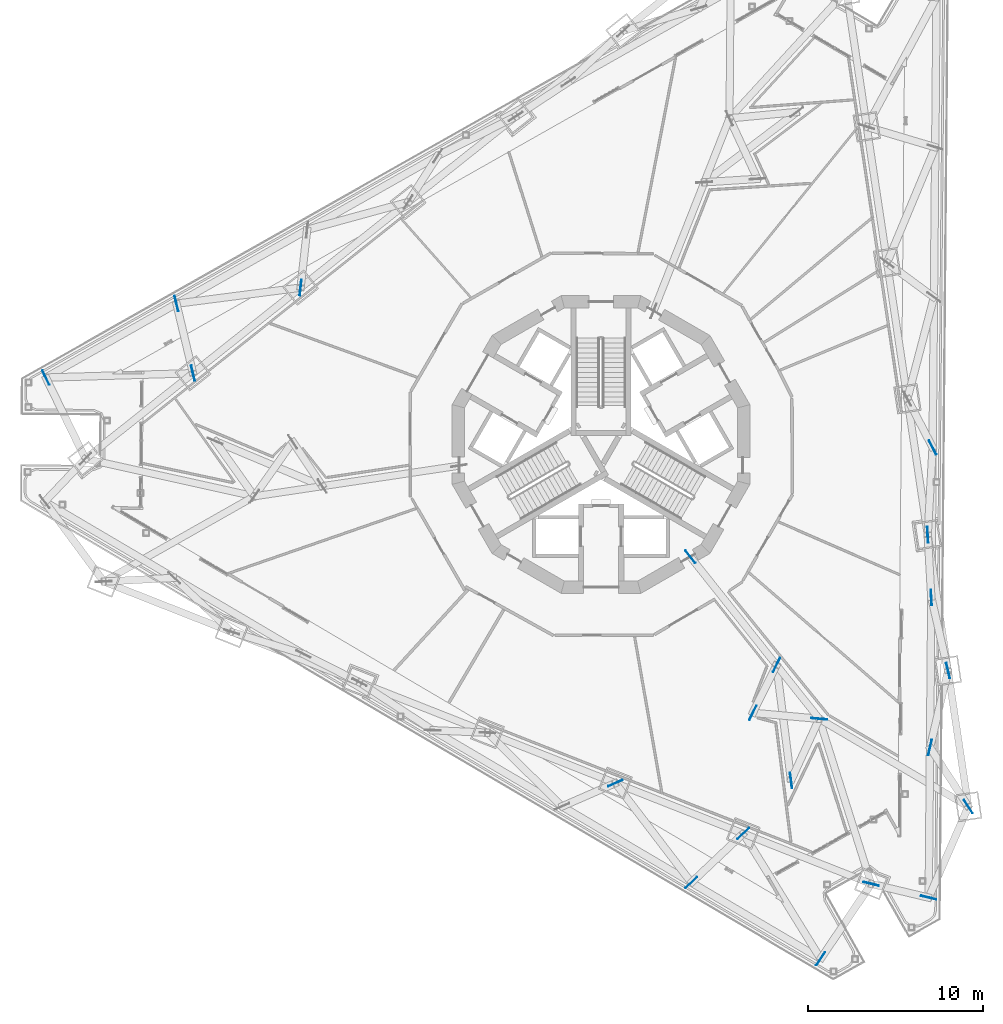
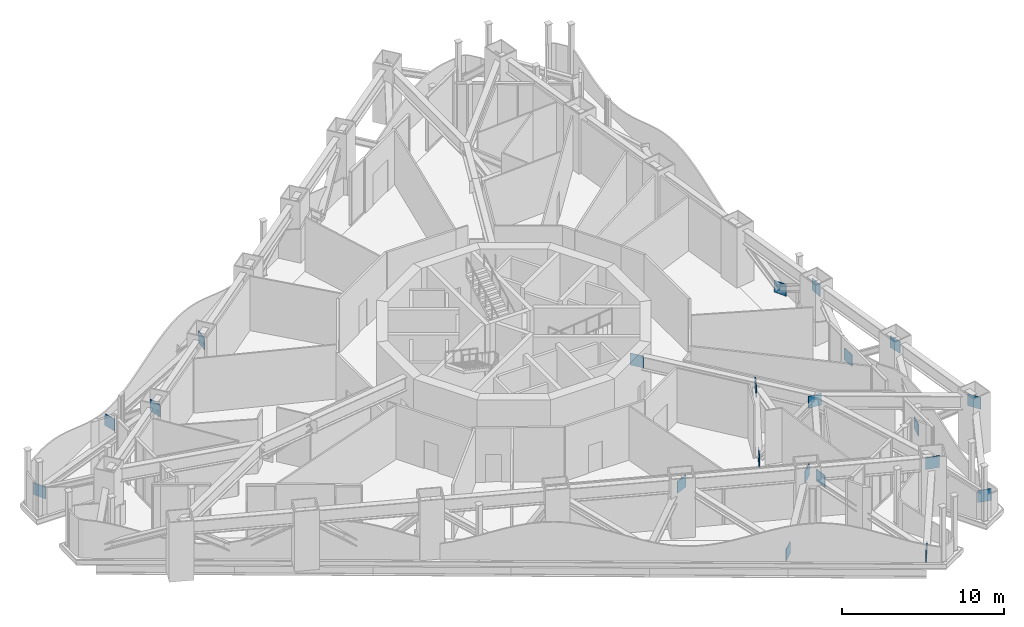
# One storey, part 16 of 27: 21 discrete accessories.
"""IFC4 building model written with IfcOpenShell, lengths in metres."""

from ifc_helpers import new_model, si_unit, direction, frame, origin, origin_2d, place, context, subcontext, project, spatial, rectangle, extrude, material, element, save


model = new_model("IFC4")

# Units and contexts
model_context = context("Model", 3, precision=1e-05, world=origin(), true_north=direction((0.0, 1.0)))
body_context = subcontext(model_context, "Body", "Model", "MODEL_VIEW")
ifc_project = project(units=[si_unit("LENGTHUNIT", "METRE"), si_unit("AREAUNIT", "SQUARE_METRE"), si_unit("VOLUMEUNIT", "CUBIC_METRE"), si_unit("PLANEANGLEUNIT", "RADIAN"), si_unit("MASSUNIT", "GRAM", prefix="KILO")], contexts=[model_context])

# Site, building, storey
site_placement = place(None, origin())
site = spatial("IfcSite", under=ifc_project, at=site_placement, CompositionType="ELEMENT")
building_placement = place(site_placement, origin())
building = spatial("IfcBuilding", under=site, at=building_placement, Name="Trine Commons Tower", CompositionType="ELEMENT")
storey_placement = place(building_placement, frame((0.0, 0.0, 193.5)))
storey = spatial("IfcBuildingStorey", under=building, at=storey_placement, Name="L50", CompositionType="ELEMENT", Elevation=193.5)

# Discrete accessories
ifc_material = material(Name="Structural steel ASTM A572 Gr50", Category="steel")
for number, where, z_axis, x_axis, name in (
    (1, (48.29638671875, 66.3212890625, 0.024658203125), (0.0, 0.0, 1.0), (0.437931860829, -0.899008167522, 0.0), "Gusset plate GP5-02"),
    (2, (55.755859375, 70.541748046875, 0.024658203125), (0.0, 0.0, 1.0), (0.231204566835, -0.972905158931, 0.0), "Gusset plate GP5-04"),
    (3, (85.15771484375, 37.483154296875, 0.024658203125), (0.0, 0.0, 1.0), (0.726958299689, 0.686681607816, 0.0), "Gusset plate GP5-13"),
    (4, (88.66943359375, 47.177001953125, 0.024658203125), (0.0, 0.0, 1.0), (0.443368452615, 0.896339453123, 0.0), "Gusset plate GP5-15"),
    (5, (90.85205078125, 43.319091796875, 0.024658203125), (0.0, 0.0, 1.0), (-0.125541018831, 0.992088429824, 0.0), "Gusset plate GP5-17"),
    (6, (92.54248046875, 33.133056640625, 0.024658203125), (0.0, 0.0, 1.0), (0.55958351612, 0.828773967067, 0.0), "Gusset plate GP5-19"),
    (7, (98.71240234375, 36.623779296875, 0.024658203125), (0.0, 0.0, 1.0), (-0.972597621771, 0.232494873331, 0.0), "Gusset plate GP5-21"),
    (8, (98.787109375, 45.194091796875, 0.024658203125), (0.0, 0.0, 1.0), (0.228265908454, 0.973598826539, 0.0), "Gusset plate GP5-22"),
    (9, (98.862060546875, 53.764404296875, 0.024658203125), (0.0, 0.0, 1.0), (-0.057215536424, 0.998361849427, 0.0), "Gusset plate GP5-23"),
    (10, (98.936767578125, 62.334716796875, 0.024658203125), (0.0, 0.0, 1.0), (-0.460106810451, 0.887863572277, 0.0), "Gusset plate GP5-24"),
    (11, (56.699462890625, 66.570556640625, 3.185546875), (0.0, 0.0, 1.0), (0.231204566835, -0.972905158931, 0.0), "Gusset plate GP5-30"),
    (12, (62.843505859375, 71.45751953125, 3.185546875), (0.0, 0.0, 1.0), (-0.1117811281, -0.993732851123, 0.0), "Gusset plate GP5-33"),
    (13, (80.82080078125, 43.1630859375, 3.185546875), (0.0, 0.0, 1.0), (0.916502421907, 0.400029137237, 0.0), "Gusset plate GP5-40"),
    (14, (85.101318359375, 56.0869140625, 3.185546875), (0.0, 0.0, 1.0), (0.622514636638, -0.782608156852, 0.0), "Gusset plate GP5-43"),
    (15, (88.125, 40.285888671875, 3.185546875), (0.0, 0.0, 1.0), (0.726958299689, 0.686681607816, 0.0), "Gusset plate GP5-47"),
    (16, (90.018798828125, 49.90478515625, 3.185546875), (0.0, 0.0, 1.0), (0.443368452615, 0.896339453123, 0.0), "Gusset plate GP5-48"),
    (17, (92.461669921875, 46.83349609375, 3.185546875), (0.0, 0.0, 1.0), (0.995925423838, -0.090180652877, 0.0), "Gusset plate GP5-49"),
    (18, (95.429443359375, 37.40869140625, 3.185546875), (0.0, 0.0, 1.0), (-0.972597621771, 0.232494873331, 0.0), "Gusset plate GP5-52"),
    (19, (98.656494140625, 57.350341796875, 3.185546875), (0.0, 0.0, 1.0), (-0.057215536424, 0.998361849427, 0.0), "Gusset plate GP5-55"),
    (20, (99.81689453125, 49.586181640625, 3.185546875), (0.0, 0.0, 1.0), (0.222790745849, -0.974866290095, 0.0), "Gusset plate GP5-56"),
    (21, (100.977294921875, 41.82177734375, 3.185546875), (0.0, 0.0, 1.0), (0.544639035015, -0.838670567945, 0.0), "Gusset plate GP5-57"),
):
    element("IfcDiscreteAccessory", number, at=place(storey_placement, frame(where, z_axis=z_axis, x_axis=x_axis)), inside=storey, material=ifc_material, Name=name, PredefinedType="BRACKET", context=body_context, shape_type="SweptSolid", body=[
        extrude(rectangle(XDim=0.89990234375, YDim=0.0400390625, at=origin_2d()), origin(), (0.0, 0.0, 1.0), 0.89990234375),
    ])

save(model, "model.ifc")
